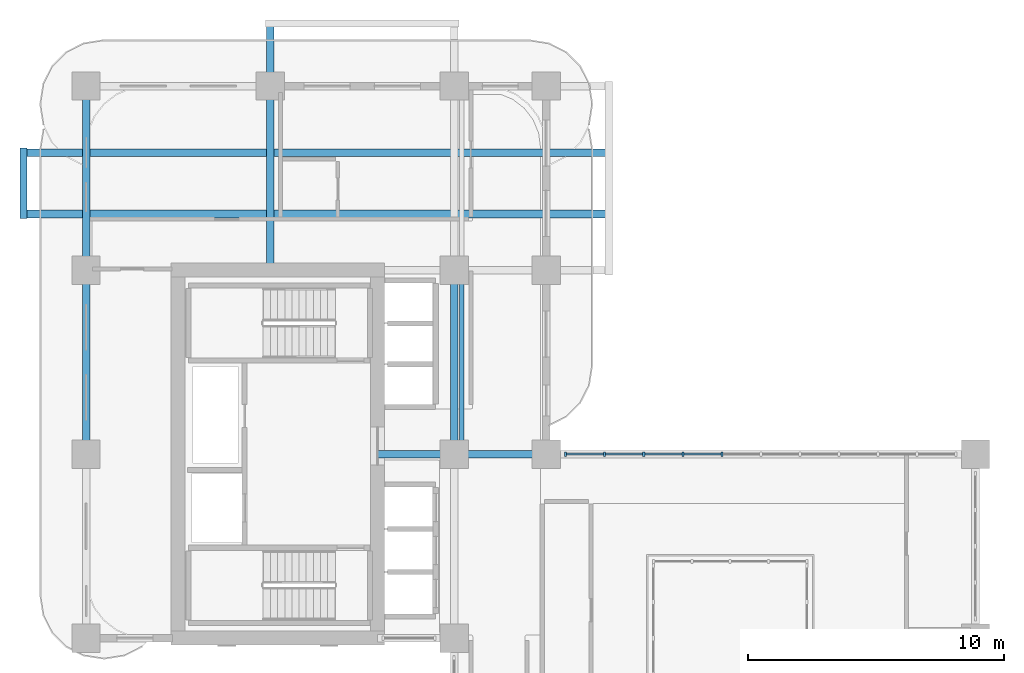
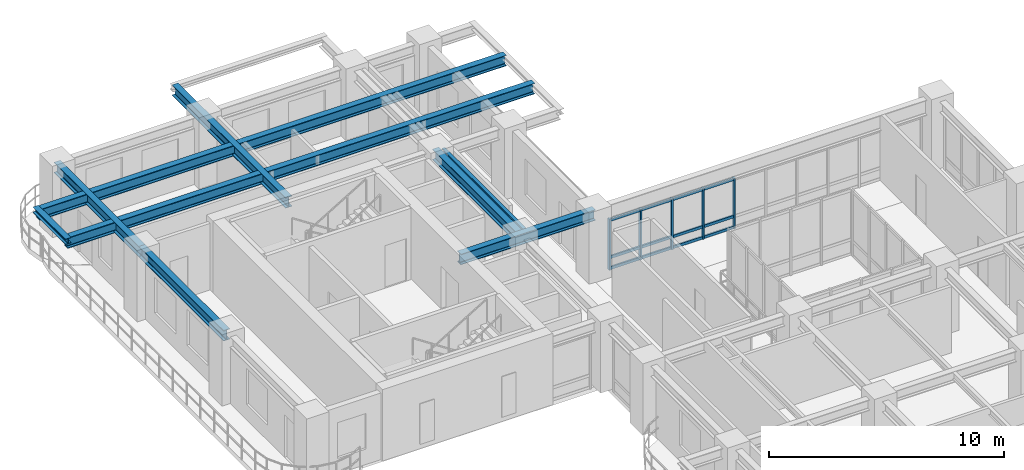
# One storey, part 6 of 22: 17 members, 9 beams, 1 element without a shape of its own.
"""IFC4 building model written with IfcOpenShell, lengths in metres."""

from ifc_helpers import new_model, si_unit, derived_unit, direction, frame, origin, origin_2d, place, context, subcontext, project, spatial, rectangle, i_section, extrude, source, transform, mapped, material, layer, layer_set, material_profile, profile_set, type_object, type_shapes, element, aggregate, save


model = new_model("IFC4")

# Units and contexts
model_context = context("Model", 3, precision=1e-05, world=origin(), true_north=direction((0.0, 1.0)))
body_context = subcontext(model_context, "Body", "Model", "MODEL_VIEW")
ifc_project = project(units=[si_unit("LENGTHUNIT", "METRE"), si_unit("AREAUNIT", "SQUARE_METRE"), si_unit("VOLUMEUNIT", "CUBIC_METRE"), si_unit("PLANEANGLEUNIT", "RADIAN"), si_unit("MASSUNIT", "GRAM", prefix="KILO"), si_unit("THERMODYNAMICTEMPERATUREUNIT", "KELVIN"), si_unit("POWERUNIT", "WATT"), derived_unit("THERMALTRANSMITTANCEUNIT", [(si_unit("POWERUNIT", "WATT"), 1), (si_unit("AREAUNIT", "SQUARE_METRE"), -1), (si_unit("THERMODYNAMICTEMPERATUREUNIT", "KELVIN"), -1)])], contexts=[model_context])

# Site, building, storey
site_placement = place(None, origin())
site = spatial("IfcSite", under=ifc_project, at=site_placement, CompositionType="ELEMENT")
building_placement = place(site_placement, origin())
building = spatial("IfcBuilding", under=site, at=building_placement, Name="Zahravan Archway Hotel and Residences", CompositionType="ELEMENT")
storey_placement = place(building_placement, frame((0.0, 0.0, 80.5)))
storey = spatial("IfcBuildingStorey", under=building, at=storey_placement, Name="L19", CompositionType="ELEMENT", Elevation=80.5)

# Beams
ifc_material_1 = material(Name="Structural Steel S355JR", Category="steel")
ifc_material_profile_1 = material_profile(ifc_material_1, i_section(OverallWidth=0.280029296875, OverallDepth=0.280029296875, WebThickness=0.010498046875, FlangeThickness=0.01806640625, FilletRadius=0.02392578125, at=origin_2d()), Name="HEB 280", Category="steel")
ifc_profile_set_1 = profile_set([ifc_material_profile_1], Name="Structural Steel S355JR")
beam_type_1 = type_object("IfcBeamType", Name="BM-SPN-HEB280", PredefinedType="SPANDREL", material=ifc_profile_set_1)
shared_shape_1 = source(origin(), body_context, "Body", "SweptSolid", [
    extrude(i_section(OverallWidth=0.280029296875, OverallDepth=0.280029296875, WebThickness=0.010498046875, FlangeThickness=0.01806640625, FilletRadius=0.02392578125, at=origin_2d()), origin(), (0.0, 0.0, 1.0), 2.759765625),
])
beam_1_placement = place(storey_placement, frame((-2.449951171875, 41.6201171875, 3.31005859375), z_axis=(0.0, 1.0, 0.0), x_axis=(-1.0, 0.0, 0.0)))
element("IfcBeam", 1, at=beam_1_placement, inside=storey, type_object=beam_type_1, Name="L20 WB Balcony Edge Spandrel", PredefinedType="SPANDREL", context=body_context, shape_type="MappedRepresentation", body=[
    mapped(shared_shape_1, transform((0.0, 0.0, 0.0), scale=1.0)),
])
ifc_material_profile_2 = material_profile(ifc_material_1, i_section(OverallWidth=0.300048828125, OverallDepth=0.550048828125, WebThickness=0.014892578125, FlangeThickness=0.029052734375, FilletRadius=0.027099609375, at=origin_2d()), Name="HEB 550", Category="steel")
ifc_profile_set_2 = profile_set([ifc_material_profile_2], Name="Structural Steel S355JR")
beam_type_2 = type_object("IfcBeamType", Name="BM-PRI-HEB550", PredefinedType="BEAM", material=ifc_profile_set_2)
shared_shape_2 = source(origin(), body_context, "Body", "SweptSolid", [
    extrude(i_section(OverallWidth=0.300048828125, OverallDepth=0.550048828125, WebThickness=0.014892578125, FlangeThickness=0.029052734375, FilletRadius=0.027099609375, at=origin_2d()), origin(), (0.0, 0.0, 1.0), 7.2001953125),
])
type_shapes(beam_type_2, [shared_shape_2])
for number, where, z_axis, x_axis, name in (
    (2, (0.0, 32.39990234375, 3.175048828125), (0.0, 1.0, 0.0), (-1.0, 0.0, 0.0), "L19 Primary Girder NS-29"),
    (3, (14.39990234375, 32.39990234375, 3.175048828125), (0.0, 1.0, 0.0), (-1.0, 0.0, 0.0), "L19 Primary Girder NS-37"),
):
    element("IfcBeam", number, at=place(storey_placement, frame(where, z_axis=z_axis, x_axis=x_axis)), inside=storey, type_object=beam_type_2, Name=name, PredefinedType="BEAM", context=body_context, shape_type="MappedRepresentation", body=[
        mapped(shared_shape_2, transform((0.0, 0.0, 0.0), scale=1.0)),
    ])
shared_shape_3 = source(origin(), body_context, "Body", "SweptSolid", [
    extrude(i_section(OverallWidth=0.300048828125, OverallDepth=0.550048828125, WebThickness=0.014892578125, FlangeThickness=0.029052734375, FilletRadius=0.027099609375, at=origin_2d()), origin(), (0.0, 0.0, 1.0), 7.199951171875),
])
beam_2_placement = place(storey_placement, frame((0.0, 39.60009765625, 3.175048828125), z_axis=(0.0, 1.0, 0.0), x_axis=(-1.0, 0.0, 0.0)))
element("IfcBeam", 4, at=beam_2_placement, inside=storey, type_object=beam_type_2, Name="L19 Primary Girder NS-30", PredefinedType="BEAM", context=body_context, shape_type="MappedRepresentation", body=[
    mapped(shared_shape_3, transform((0.0, 0.0, 0.0), scale=1.0)),
])
shared_shape_4 = source(origin(), body_context, "Body", "SweptSolid", [
    extrude(i_section(OverallWidth=0.300048828125, OverallDepth=0.550048828125, WebThickness=0.014892578125, FlangeThickness=0.029052734375, FilletRadius=0.027099609375, at=origin_2d()), origin(), (0.0, 0.0, 1.0), 6.60009765625),
])
beam_3_placement = place(storey_placement, frame((11.39990234375, 32.39990234375, 3.175048828125), z_axis=(1.0, 0.0, 0.0), x_axis=(0.0, 1.0, 0.0)))
element("IfcBeam", 5, at=beam_3_placement, inside=storey, type_object=beam_type_2, Name="L19 Primary Girder EW-21", PredefinedType="BEAM", context=body_context, shape_type="MappedRepresentation", body=[
    mapped(shared_shape_4, transform((0.0, 0.0, 0.0), scale=1.0)),
])
shared_shape_5 = source(origin(), body_context, "Body", "SweptSolid", [
    extrude(i_section(OverallWidth=0.300048828125, OverallDepth=0.550048828125, WebThickness=0.014892578125, FlangeThickness=0.029052734375, FilletRadius=0.027099609375, at=origin_2d()), origin(), (0.0, 0.0, 1.0), 22.89990234375),
])
for number, where, z_axis, x_axis, name in (
    (6, (-2.449951171875, 41.800048828125, 3.175048828125), (1.0, 0.0, 0.0), (0.0, 1.0, 0.0), "L19 Primary Girder EW-26"),
    (7, (-2.449951171875, 44.199951171875, 3.175048828125), (1.0, 0.0, 0.0), (0.0, 1.0, 0.0), "L19 Primary Girder EW-27"),
):
    element("IfcBeam", number, at=place(storey_placement, frame(where, z_axis=z_axis, x_axis=x_axis)), inside=storey, type_object=beam_type_2, Name=name, PredefinedType="BEAM", context=body_context, shape_type="MappedRepresentation", body=[
        mapped(shared_shape_5, transform((0.0, 0.0, 0.0), scale=1.0)),
    ])
shared_shape_6 = source(origin(), body_context, "Body", "SweptSolid", [
    extrude(i_section(OverallWidth=0.300048828125, OverallDepth=0.550048828125, WebThickness=0.014892578125, FlangeThickness=0.029052734375, FilletRadius=0.027099609375, at=origin_2d()), origin(), (0.0, 0.0, 1.0), 9.64990234375),
])
beam_4_placement = place(storey_placement, frame((7.199951171875, 39.60009765625, 3.175048828125), z_axis=(0.0, 1.0, 0.0), x_axis=(-1.0, 0.0, 0.0)))
element("IfcBeam", 8, at=beam_4_placement, inside=storey, type_object=beam_type_2, Name="L19 Primary Girder NS-31", PredefinedType="BEAM", context=body_context, shape_type="MappedRepresentation", body=[
    mapped(shared_shape_6, transform((0.0, 0.0, 0.0), scale=1.0)),
])
ifc_material_profile_3 = material_profile(ifc_material_1, i_section(OverallWidth=0.169921875, OverallDepth=0.360107421875, WebThickness=0.008056640625, FlangeThickness=0.0126953125, FilletRadius=0.01806640625, at=origin_2d()), Name="IPE 360", Category="steel")
ifc_profile_set_3 = profile_set([ifc_material_profile_3], Name="Structural Steel S355JR")
beam_type_3 = type_object("IfcBeamType", Name="BM-JST-IPE360", PredefinedType="JOIST", material=ifc_profile_set_3)
shared_shape_7 = source(origin(), body_context, "Body", "SweptSolid", [
    extrude(i_section(OverallWidth=0.169921875, OverallDepth=0.360107421875, WebThickness=0.008056640625, FlangeThickness=0.0126953125, FilletRadius=0.01806640625, at=origin_2d()), origin(), (0.0, 0.0, 1.0), 6.90380859375),
])
beam_5_placement = place(storey_placement, frame((14.699951171875, 32.548095703125, 3.27001953125), z_axis=(0.0, 1.0, 0.0), x_axis=(-1.0, 0.0, 0.0)))
element("IfcBeam", 9, at=beam_5_placement, inside=storey, type_object=beam_type_3, Name="L19 Composite Floor Joist 13", PredefinedType="JOIST", context=body_context, shape_type="MappedRepresentation", body=[
    mapped(shared_shape_7, transform((0.0, 0.0, 0.0), scale=1.0)),
])

# Curtain wall, members
ifc_material_2 = material(Name="Bronze-Anodized Unitised Aluminium & Low-E Glass", Category="aluminium")
ifc_layer = layer(ifc_material_2, 0.179931640625, Name="Bronze-Anodized Unitised Aluminium & Low-E Glass", Category="aluminium")
ifc_layer_set = layer_set([ifc_layer], Name="Bronze-Anodized Unitised Aluminium & Low-E Glass")
curtain_wall_type = type_object("IfcCurtainWallType", Name="CW-ATR-GLAZ", PredefinedType="NOTDEFINED", material=ifc_layer_set)
curtain_wall_placement = place(storey_placement, origin())
curtain_wall = element("IfcCurtainWall", 10, at=curtain_wall_placement, inside=storey, type_object=curtain_wall_type, Name="L19 Curtain Wall CW-L19-HNG-N-1", PredefinedType="NOTDEFINED")
ifc_material_3 = material(Name="Bronze-Anodized Extruded Aluminium", Category="aluminium")
ifc_material_profile_4 = material_profile(ifc_material_3, rectangle(XDim=0.080078125, YDim=0.159912109375, at=origin_2d()), Name="MUL 80x160", Category="aluminium")
ifc_profile_set_4 = profile_set([ifc_material_profile_4], Name="Bronze-Anodized Extruded Aluminium")
member_type_1 = type_object("IfcMemberType", Name="CWM-MUL-160", PredefinedType="MULLION", material=ifc_profile_set_4)
shared_shape_8 = source(origin(), body_context, "Body", "SweptSolid", [
    extrude(rectangle(XDim=0.080078125, YDim=0.159912109375, at=origin_2d()), origin(), (0.0, 0.0, 1.0), 2.635009765625),
])
member_1_placement = place(storey_placement, frame((18.760009765625, 32.39990234375, 0.0), z_axis=(0.0, 0.0, 1.0), x_axis=(1.0, 0.0, 0.0)))
member_1 = element("IfcMember", 11, at=member_1_placement, type_object=member_type_1, Name="CW-L19-HNG-N-1 Mullion 0", PredefinedType="MULLION", context=body_context, shape_type="MappedRepresentation", body=[
    mapped(shared_shape_8, transform((0.0, 0.0, 0.0), scale=1.0)),
])
member_2_placement = place(storey_placement, frame((20.2880859375, 32.39990234375, 0.0), z_axis=(0.0, 0.0, 1.0), x_axis=(1.0, 0.0, 0.0)))
member_2 = element("IfcMember", 12, at=member_2_placement, type_object=member_type_1, Name="CW-L19-HNG-N-1 Mullion 1", PredefinedType="MULLION", context=body_context, shape_type="MappedRepresentation", body=[
    mapped(shared_shape_8, transform((0.0, 0.0, 0.0), scale=1.0)),
])
member_3_placement = place(storey_placement, frame((21.81591796875, 32.39990234375, 0.0), z_axis=(0.0, 0.0, 1.0), x_axis=(1.0, 0.0, 0.0)))
member_3 = element("IfcMember", 13, at=member_3_placement, type_object=member_type_1, Name="CW-L19-HNG-N-1 Mullion 2", PredefinedType="MULLION", context=body_context, shape_type="MappedRepresentation", body=[
    mapped(shared_shape_8, transform((0.0, 0.0, 0.0), scale=1.0)),
])
member_4_placement = place(storey_placement, frame((23.343994140625, 32.39990234375, 0.0), z_axis=(0.0, 0.0, 1.0), x_axis=(1.0, 0.0, 0.0)))
member_4 = element("IfcMember", 14, at=member_4_placement, type_object=member_type_1, Name="CW-L19-HNG-N-1 Mullion 3", PredefinedType="MULLION", context=body_context, shape_type="MappedRepresentation", body=[
    mapped(shared_shape_8, transform((0.0, 0.0, 0.0), scale=1.0)),
])
member_5_placement = place(storey_placement, frame((24.8720703125, 32.39990234375, 0.0), z_axis=(0.0, 0.0, 1.0), x_axis=(1.0, 0.0, 0.0)))
member_5 = element("IfcMember", 15, at=member_5_placement, type_object=member_type_1, Name="CW-L19-HNG-N-1 Mullion 4", PredefinedType="MULLION", context=body_context, shape_type="MappedRepresentation", body=[
    mapped(shared_shape_8, transform((0.0, 0.0, 0.0), scale=1.0)),
])
ifc_material_profile_5 = material_profile(ifc_material_3, rectangle(XDim=0.080078125, YDim=0.139892578125, at=origin_2d()), Name="TRN 80x140", Category="aluminium")
ifc_profile_set_5 = profile_set([ifc_material_profile_5], Name="Bronze-Anodized Extruded Aluminium")
member_type_2 = type_object("IfcMemberType", Name="CWM-TRN-140", PredefinedType="USERDEFINED", material=ifc_profile_set_5)
shared_shape_9 = source(origin(), body_context, "Body", "SweptSolid", [
    extrude(rectangle(XDim=0.080078125, YDim=0.139892578125, at=origin_2d()), origin(), (0.0, 0.0, 1.0), 1.447998046875),
])
member_6_placement = place(storey_placement, frame((18.800048828125, 32.39990234375, 0.070068359375), z_axis=(1.0, 0.0, 0.0), x_axis=(0.0, 1.0, 0.0)))
member_6 = element("IfcMember", 16, at=member_6_placement, type_object=member_type_2, Name="CW-L19-HNG-N-1 Transom 0-1", ObjectType="TRANSOM", PredefinedType="USERDEFINED", context=body_context, shape_type="MappedRepresentation", body=[
    mapped(shared_shape_9, transform((0.0, 0.0, 0.0), scale=1.0)),
])
member_7_placement = place(storey_placement, frame((18.800048828125, 32.39990234375, 0.63232421875), z_axis=(1.0, 0.0, 0.0), x_axis=(0.0, 1.0, 0.0)))
member_7 = element("IfcMember", 17, at=member_7_placement, type_object=member_type_2, Name="CW-L19-HNG-N-1 Transom 0-2", ObjectType="TRANSOM", PredefinedType="USERDEFINED", context=body_context, shape_type="MappedRepresentation", body=[
    mapped(shared_shape_9, transform((0.0, 0.0, 0.0), scale=1.0)),
])
member_8_placement = place(storey_placement, frame((18.800048828125, 32.39990234375, 2.56494140625), z_axis=(1.0, 0.0, 0.0), x_axis=(0.0, 1.0, 0.0)))
member_8 = element("IfcMember", 18, at=member_8_placement, type_object=member_type_2, Name="CW-L19-HNG-N-1 Transom 0-3", ObjectType="TRANSOM", PredefinedType="USERDEFINED", context=body_context, shape_type="MappedRepresentation", body=[
    mapped(shared_shape_9, transform((0.0, 0.0, 0.0), scale=1.0)),
])
member_9_placement = place(storey_placement, frame((20.327880859375, 32.39990234375, 0.070068359375), z_axis=(1.0, 0.0, 0.0), x_axis=(0.0, 1.0, 0.0)))
member_9 = element("IfcMember", 19, at=member_9_placement, type_object=member_type_2, Name="CW-L19-HNG-N-1 Transom 1-1", ObjectType="TRANSOM", PredefinedType="USERDEFINED", context=body_context, shape_type="MappedRepresentation", body=[
    mapped(shared_shape_9, transform((0.0, 0.0, 0.0), scale=1.0)),
])
member_10_placement = place(storey_placement, frame((20.327880859375, 32.39990234375, 0.63232421875), z_axis=(1.0, 0.0, 0.0), x_axis=(0.0, 1.0, 0.0)))
member_10 = element("IfcMember", 20, at=member_10_placement, type_object=member_type_2, Name="CW-L19-HNG-N-1 Transom 1-2", ObjectType="TRANSOM", PredefinedType="USERDEFINED", context=body_context, shape_type="MappedRepresentation", body=[
    mapped(shared_shape_9, transform((0.0, 0.0, 0.0), scale=1.0)),
])
member_11_placement = place(storey_placement, frame((20.327880859375, 32.39990234375, 2.56494140625), z_axis=(1.0, 0.0, 0.0), x_axis=(0.0, 1.0, 0.0)))
member_11 = element("IfcMember", 21, at=member_11_placement, type_object=member_type_2, Name="CW-L19-HNG-N-1 Transom 1-3", ObjectType="TRANSOM", PredefinedType="USERDEFINED", context=body_context, shape_type="MappedRepresentation", body=[
    mapped(shared_shape_9, transform((0.0, 0.0, 0.0), scale=1.0)),
])
member_12_placement = place(storey_placement, frame((21.85595703125, 32.39990234375, 0.070068359375), z_axis=(1.0, 0.0, 0.0), x_axis=(0.0, 1.0, 0.0)))
member_12 = element("IfcMember", 22, at=member_12_placement, type_object=member_type_2, Name="CW-L19-HNG-N-1 Transom 2-1", ObjectType="TRANSOM", PredefinedType="USERDEFINED", context=body_context, shape_type="MappedRepresentation", body=[
    mapped(shared_shape_9, transform((0.0, 0.0, 0.0), scale=1.0)),
])
member_13_placement = place(storey_placement, frame((21.85595703125, 32.39990234375, 0.63232421875), z_axis=(1.0, 0.0, 0.0), x_axis=(0.0, 1.0, 0.0)))
member_13 = element("IfcMember", 23, at=member_13_placement, type_object=member_type_2, Name="CW-L19-HNG-N-1 Transom 2-2", ObjectType="TRANSOM", PredefinedType="USERDEFINED", context=body_context, shape_type="MappedRepresentation", body=[
    mapped(shared_shape_9, transform((0.0, 0.0, 0.0), scale=1.0)),
])
member_14_placement = place(storey_placement, frame((21.85595703125, 32.39990234375, 2.56494140625), z_axis=(1.0, 0.0, 0.0), x_axis=(0.0, 1.0, 0.0)))
member_14 = element("IfcMember", 24, at=member_14_placement, type_object=member_type_2, Name="CW-L19-HNG-N-1 Transom 2-3", ObjectType="TRANSOM", PredefinedType="USERDEFINED", context=body_context, shape_type="MappedRepresentation", body=[
    mapped(shared_shape_9, transform((0.0, 0.0, 0.0), scale=1.0)),
])
member_15_placement = place(storey_placement, frame((23.384033203125, 32.39990234375, 0.070068359375), z_axis=(1.0, 0.0, 0.0), x_axis=(0.0, 1.0, 0.0)))
member_15 = element("IfcMember", 25, at=member_15_placement, type_object=member_type_2, Name="CW-L19-HNG-N-1 Transom 3-1", ObjectType="TRANSOM", PredefinedType="USERDEFINED", context=body_context, shape_type="MappedRepresentation", body=[
    mapped(shared_shape_9, transform((0.0, 0.0, 0.0), scale=1.0)),
])
member_16_placement = place(storey_placement, frame((23.384033203125, 32.39990234375, 0.63232421875), z_axis=(1.0, 0.0, 0.0), x_axis=(0.0, 1.0, 0.0)))
member_16 = element("IfcMember", 26, at=member_16_placement, type_object=member_type_2, Name="CW-L19-HNG-N-1 Transom 3-2", ObjectType="TRANSOM", PredefinedType="USERDEFINED", context=body_context, shape_type="MappedRepresentation", body=[
    mapped(shared_shape_9, transform((0.0, 0.0, 0.0), scale=1.0)),
])
member_17_placement = place(storey_placement, frame((23.384033203125, 32.39990234375, 2.56494140625), z_axis=(1.0, 0.0, 0.0), x_axis=(0.0, 1.0, 0.0)))
member_17 = element("IfcMember", 27, at=member_17_placement, type_object=member_type_2, Name="CW-L19-HNG-N-1 Transom 3-3", ObjectType="TRANSOM", PredefinedType="USERDEFINED", context=body_context, shape_type="MappedRepresentation", body=[
    mapped(shared_shape_9, transform((0.0, 0.0, 0.0), scale=1.0)),
])
aggregate(curtain_wall, [member_1, member_2, member_3, member_4, member_5, member_6, member_7, member_8, member_9, member_10, member_11, member_12, member_13, member_14, member_15, member_16, member_17])

save(model, "model.ifc")
